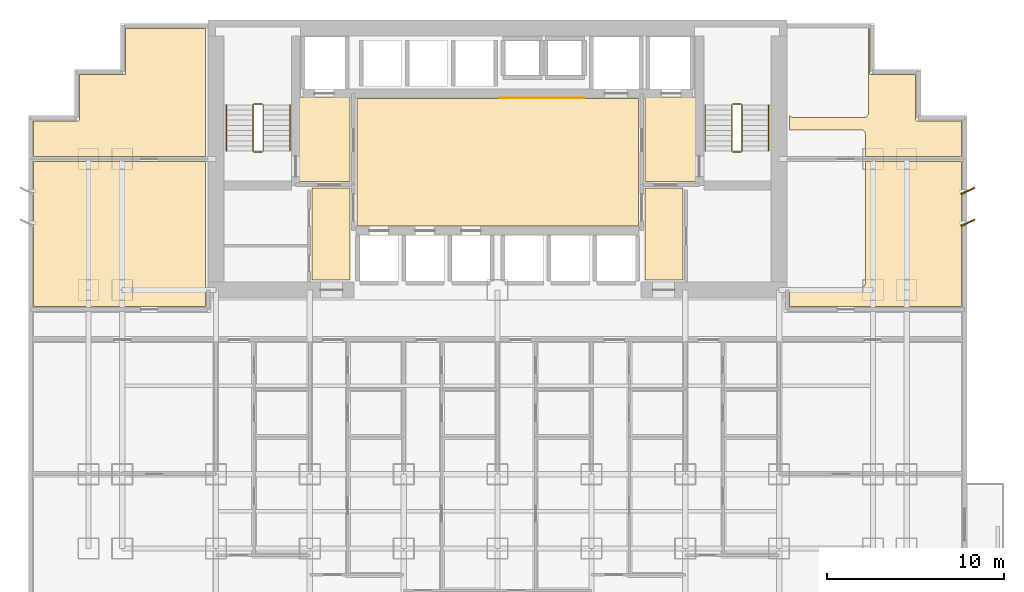
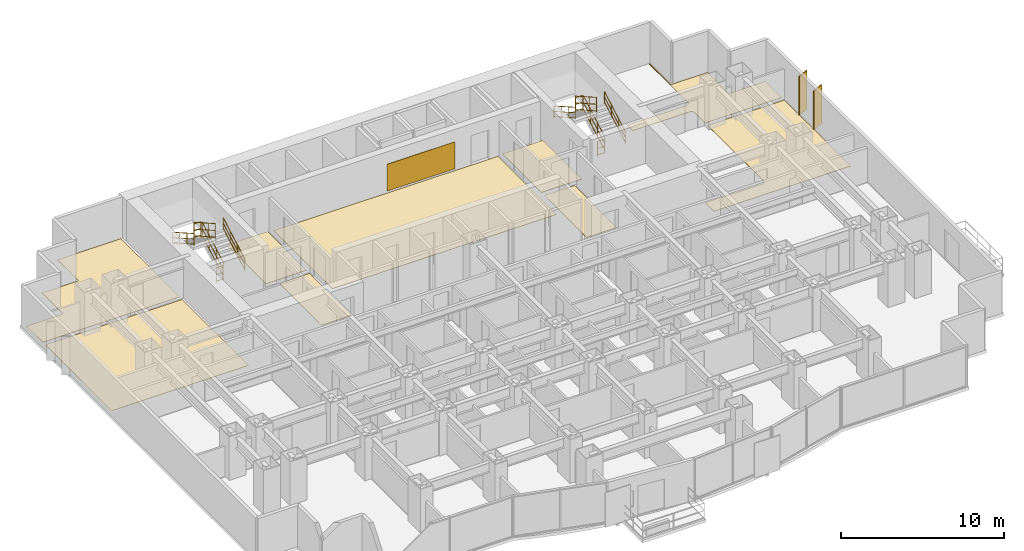
# One storey, part 10 of 10: 12 railings, 10 coverings, 2 shading devices.
"""IFC4 building model written with IfcOpenShell, lengths in metres."""

import ifcopenshell
import ifcopenshell.guid

model = None  # the IFC model being written
_history = None  # IfcOwnerHistory: only IFC2X3 demands one
_inside = {}  # id of a spatial element -> (the spatial element, [elements in it])
_under = {}  # id of a project, library or spatial element -> (it, [spatial elements below it])
_declared = {}  # id of a project -> (the project, [libraries it declares])
_typed = {}  # id of a type object -> (the type object, [elements of that type])
_made_of = {}  # id of a material, layer set ... -> (it, [elements and type objects made of it])


def new_model(schema):
    """Start an empty IFC model of exactly this schema.

    Asked for "IFC4X3", IfcOpenShell would pick the latest addendum, in which some entities
    have other attributes; the version numbers below select the first issue.
    IFC2X3 requires an IfcOwnerHistory on every rooted entity: one is made here for all.
    """
    global model, _history
    if schema == "IFC4X3":
        model = ifcopenshell.file(schema_version=(4, 3, 0, 0))
    else:
        model = ifcopenshell.file(schema=schema)
    _inside.clear()
    _under.clear()
    _declared.clear()
    _typed.clear()
    _made_of.clear()
    _history = None
    if model.schema == "IFC2X3":
        org = make("IfcOrganization", Name="unknown")
        user = make(
            "IfcPersonAndOrganization",
            ThePerson=make("IfcPerson", FamilyName="unknown"),
            TheOrganization=org,
        )
        app = make(
            "IfcApplication",
            ApplicationDeveloper=org,
            Version="unknown",
            ApplicationFullName="unknown",
            ApplicationIdentifier="unknown",
        )
        _history = make(
            "IfcOwnerHistory",
            OwningUser=user,
            OwningApplication=app,
            ChangeAction="ADDED",
            CreationDate=0,
        )
    return model


def make(cls, **values):
    """One entity of the class cls with the attributes given. An attribute that is None is left unset."""
    return model.create_entity(
        cls, **{name: value for name, value in values.items() if value is not None}
    )


def rooted(cls, **values):
    """An entity with a GlobalId (a new one), such as an element, a storey or a relation."""
    return make(cls, GlobalId=ifcopenshell.guid.new(), OwnerHistory=_history, **values)


def si_unit(unit_type, name, prefix=None):
    """IfcSIUnit, for example si_unit("LENGTHUNIT", "METRE", prefix="MILLI")."""
    return make("IfcSIUnit", UnitType=unit_type, Prefix=prefix, Name=name)


def assignment(units):
    """IfcUnitAssignment: the units of a project."""
    return None if units is None else make("IfcUnitAssignment", Units=units)


def point(xyz):
    """IfcCartesianPoint."""
    return None if xyz is None else make("IfcCartesianPoint", Coordinates=xyz)


def direction(xyz):
    """IfcDirection."""
    return None if xyz is None else make("IfcDirection", DirectionRatios=xyz)


def frame(location, z_axis=None, x_axis=None):
    """IfcAxis2Placement3D, a coordinate frame: its origin and axes. An axis left out is left unset."""
    return make(
        "IfcAxis2Placement3D",
        Location=point(location),
        Axis=direction(z_axis),
        RefDirection=direction(x_axis),
    )


def frame_2d(location, x_axis=None):
    """IfcAxis2Placement2D, a coordinate frame in the plane: its origin and x axis."""
    return make(
        "IfcAxis2Placement2D", Location=point(location), RefDirection=direction(x_axis)
    )


def origin():
    """The frame at (0, 0, 0) with its axes left unset."""
    return frame((0.0, 0.0, 0.0))


def origin_2d():
    """The frame at (0, 0) in the plane with its x axis left unset."""
    return frame_2d((0.0, 0.0))


def place(relative_to, where):
    """IfcLocalPlacement: puts the frame where relative to a parent placement (None: the world)."""
    return make(
        "IfcLocalPlacement", PlacementRelTo=relative_to, RelativePlacement=where
    )


def context(
    kind, dimensions, precision=None, world=None, true_north=None, identifier=None
):
    """IfcGeometricRepresentationContext, for example the 3D "Model" context."""
    return make(
        "IfcGeometricRepresentationContext",
        ContextIdentifier=identifier,
        ContextType=kind,
        CoordinateSpaceDimension=dimensions,
        Precision=precision,
        WorldCoordinateSystem=world,
        TrueNorth=true_north,
    )


def subcontext(parent, identifier, kind, view, scale=None):
    """IfcGeometricRepresentationSubContext, for example "Body" below "Model"."""
    return make(
        "IfcGeometricRepresentationSubContext",
        ContextIdentifier=identifier,
        ContextType=kind,
        ParentContext=parent,
        TargetScale=scale,
        TargetView=view,
    )


def project(units=None, contexts=None):
    """IfcProject with its units and contexts."""
    return rooted(
        "IfcProject",
        Name="project",
        RepresentationContexts=contexts,
        UnitsInContext=assignment(units),
    )


def spatial(cls, under=None, at=None, **own):
    """A site, building, storey or space (cls), placed at a placement, below another one or the project."""
    s = rooted(cls, ObjectPlacement=at, **own)
    if under is not None:
        _under.setdefault(under.id(), (under, []))[1].append(s)
    return s


def polyline(points):
    """IfcPolyline through the points."""
    return make("IfcPolyline", Points=[point(p) for p in points])


def profile(cls, at=None, kind="AREA", **sizes):
    """A parametric profile (cls). Its sizes go by their IFC names, for example OverallWidth=200.0."""
    return make(cls, ProfileType=kind, Position=at, **sizes)


def rectangle(**sizes):
    """IfcRectangleProfileDef."""
    return profile("IfcRectangleProfileDef", **sizes)


def circle(**sizes):
    """IfcCircleProfileDef."""
    return profile("IfcCircleProfileDef", **sizes)


def outline(outer, holes=None, kind="AREA"):
    """IfcArbitraryClosedProfileDef: a profile drawn as a closed curve; with holes, ...WithVoids."""
    if holes is None:
        return make("IfcArbitraryClosedProfileDef", ProfileType=kind, OuterCurve=outer)
    return make(
        "IfcArbitraryProfileDefWithVoids",
        ProfileType=kind,
        OuterCurve=outer,
        InnerCurves=holes,
    )


def extrude(swept, where, along, depth):
    """IfcExtrudedAreaSolid: the profile swept, set in the frame where, extruded along a direction by depth."""
    return make(
        "IfcExtrudedAreaSolid",
        SweptArea=swept,
        Position=where,
        ExtrudedDirection=direction(along),
        Depth=depth,
    )


def shape(context_of_items, identifier, shape_type, items):
    """IfcShapeRepresentation: the items that make up one representation, for example the "Body"."""
    return make(
        "IfcShapeRepresentation",
        ContextOfItems=context_of_items,
        RepresentationIdentifier=identifier,
        RepresentationType=shape_type,
        Items=items,
    )


def source(mapping_origin, context_of_items, identifier, shape_type, items):
    """IfcRepresentationMap: a shape defined once, which mapped items show again and again."""
    return make(
        "IfcRepresentationMap",
        MappingOrigin=mapping_origin,
        MappedRepresentation=shape(context_of_items, identifier, shape_type, items),
    )


def transform(
    local_origin,
    x_axis=None,
    y_axis=None,
    z_axis=None,
    scale=None,
    scale2=None,
    scale3=None,
    uniform=True,
):
    """IfcCartesianTransformationOperator3D, or its non-uniform kind. x_axis, y_axis, z_axis: its Axis1, 2, 3."""
    if uniform:
        return make(
            "IfcCartesianTransformationOperator3D",
            Axis1=direction(x_axis),
            Axis2=direction(y_axis),
            LocalOrigin=point(local_origin),
            Scale=scale,
            Axis3=direction(z_axis),
        )
    return make(
        "IfcCartesianTransformationOperator3DnonUniform",
        Axis1=direction(x_axis),
        Axis2=direction(y_axis),
        LocalOrigin=point(local_origin),
        Scale=scale,
        Axis3=direction(z_axis),
        Scale2=scale2,
        Scale3=scale3,
    )


def mapped(mapping_source, mapping_target):
    """IfcMappedItem: shows the shape of a source again, moved by a transform."""
    return make(
        "IfcMappedItem", MappingSource=mapping_source, MappingTarget=mapping_target
    )


def material(Name=None, Category=None):
    """IfcMaterial."""
    return make("IfcMaterial", Name=Name, Category=Category)


def layer(
    of_material, thickness, ventilated=None, Name=None, Category=None, Priority=None
):
    """IfcMaterialLayer: one layer of a wall or slab, of a material (None: an air gap)."""
    return make(
        "IfcMaterialLayer",
        Material=of_material,
        LayerThickness=thickness,
        IsVentilated=ventilated,
        Name=Name,
        Category=Category,
        Priority=Priority,
    )


def layer_set(layers, Name=None):
    """IfcMaterialLayerSet."""
    return make("IfcMaterialLayerSet", MaterialLayers=layers, LayerSetName=Name)


def made_of(thing, what):
    """Note that an element or type object is made of a material, layer set ...; save() writes the relation."""
    if what is not None:
        _made_of.setdefault(what.id(), (what, []))[1].append(thing)
    return thing


def type_object(cls, material=None, **own):
    """A type object (cls), such as IfcWallType, which elements share."""
    return made_of(rooted(cls, **own), material)


def element(
    cls,
    number,
    at=None,
    inside=None,
    cuts=None,
    type_object=None,
    material=None,
    context=None,
    identifier="Body",
    shape_type=None,
    held_by="IfcProductDefinitionShape",
    body=None,
    shapes=None,
    **own,
):
    """One element of the class cls, such as IfcWall. Its Tag is "e" and its number.

    at: its placement. inside: the storey or other place that contains it. cuts: it is an
    opening in that element (IfcRelVoidsElement). A single representation is given by context,
    identifier, shape_type and body (its items); several are given by shapes. held_by: the class
    of the entity that holds the representations. save() writes the other relations.
    """
    e = rooted(cls, Tag="e%d" % number, ObjectPlacement=at, **own)
    if body is not None:
        shapes = [shape(context, identifier, shape_type, body)]
    if shapes is not None:
        e.Representation = make(held_by, Representations=shapes)
    if inside is not None:
        _inside.setdefault(inside.id(), (inside, []))[1].append(e)
    if cuts is not None:
        rooted(
            "IfcRelVoidsElement", RelatingBuildingElement=cuts, RelatedOpeningElement=e
        )
    if type_object is not None:
        _typed.setdefault(type_object.id(), (type_object, []))[1].append(e)
    return made_of(e, material)


def aggregate(whole, parts):
    """IfcRelAggregates: a whole, such as a stair, and the parts it consists of."""
    return rooted("IfcRelAggregates", RelatingObject=whole, RelatedObjects=parts)


def save(model, path):
    """Write the relations noted so far, then the file.

    IfcRelAggregates (storeys below a building ...), IfcRelContainedInSpatialStructure (elements
    in a storey), IfcRelDefinesByType, IfcRelAssociatesMaterial and IfcRelDeclares: one each for
    every whole, place, type object, material and project.
    """
    for whole, parts in _under.values():
        aggregate(whole, parts)
    for where, things in _inside.values():
        rooted(
            "IfcRelContainedInSpatialStructure",
            RelatedElements=things,
            RelatingStructure=where,
        )
    for kind, things in _typed.values():
        rooted("IfcRelDefinesByType", RelatedObjects=things, RelatingType=kind)
    for what, things in _made_of.values():
        rooted("IfcRelAssociatesMaterial", RelatedObjects=things, RelatingMaterial=what)
    for by, libraries in _declared.values():
        rooted("IfcRelDeclares", RelatingContext=by, RelatedDefinitions=libraries)
    model.write(path)


model = new_model("IFC4")

# Units and contexts
model_context = context("Model", 3, precision=1e-05, world=origin(), true_north=direction((0.0, 1.0)))
body_context = subcontext(model_context, "Body", "Model", "MODEL_VIEW")
ifc_project = project(units=[si_unit("LENGTHUNIT", "METRE"), si_unit("AREAUNIT", "SQUARE_METRE"), si_unit("VOLUMEUNIT", "CUBIC_METRE"), si_unit("PLANEANGLEUNIT", "RADIAN"), si_unit("MASSUNIT", "GRAM", prefix="KILO")], contexts=[model_context])

# Site, building, storey
site_placement = place(None, origin())
site = spatial("IfcSite", under=ifc_project, at=site_placement, CompositionType="ELEMENT")
building_placement = place(site_placement, origin())
building = spatial("IfcBuilding", under=site, at=building_placement, Name="Qianlan Lanfeng Residences", CompositionType="ELEMENT")
storey_placement = place(building_placement, frame((0.0, 0.0, 30.800048828125)))
storey = spatial("IfcBuildingStorey", under=building, at=storey_placement, Name="L07", CompositionType="ELEMENT", Elevation=30.800048828125)

# Coverings
ifc_material_1 = material(Name="Anodised Bronze Feature Wall Cladding")
ifc_layer_1 = layer(ifc_material_1, 0.02490234375)
ifc_layer_set_1 = layer_set([ifc_layer_1], Name="Anodised Bronze Feature Wall Cladding")
covering_type_1 = type_object("IfcCoveringType", Name="CLD-BRZ-25", PredefinedType="CLADDING", material=ifc_layer_set_1)
covering_1_placement = place(storey_placement, frame((0.0, 0.0, 0.14990234375)))
element("IfcCovering", 1, at=covering_1_placement, inside=storey, type_object=covering_type_1, Name="L07 Lift Lobby Bronze Feature Cladding", PredefinedType="CLADDING", context=body_context, shape_type="SweptSolid", body=[
    extrude(outline(polyline([(26.60009765625, 36.02490234375), (31.39990234375, 36.02490234375), (31.39990234375, 36.050048828125), (26.60009765625, 36.050048828125), (26.60009765625, 36.02490234375)])), origin(), (0.0, 0.0, 1.0), 2.02001953125),
])
ifc_material_2 = material(Name="Honed Taitung Granite Stone Flooring", Category="masonry")
ifc_layer_2 = layer(ifc_material_2, 0.030029296875)
ifc_layer_set_2 = layer_set([ifc_layer_2], Name="Honed Taitung Granite Stone Flooring")
covering_type_2 = type_object("IfcCoveringType", Name="FLR-STN-30", PredefinedType="FLOORING", material=ifc_layer_set_2)
covering_2_placement = place(storey_placement, origin())
element("IfcCovering", 2, at=covering_2_placement, inside=storey, type_object=covering_type_2, Name="L07 Firefighting Lift Lobby Floor Finish", PredefinedType="FLOORING", context=body_context, shape_type="SweptSolid", body=[
    extrude(outline(polyline([(15.2900390625, 31.320068359375), (18.179931640625, 31.320068359375), (18.179931640625, 36.110107421875), (15.2900390625, 36.110107421875), (15.2900390625, 31.320068359375)])), origin(), (0.0, 0.0, 1.0), 0.030029296875),
])
covering_3_placement = place(storey_placement, origin())
element("IfcCovering", 3, at=covering_3_placement, inside=storey, type_object=covering_type_2, Name="L07 Firefighting Lift Lobby Floor Finish", PredefinedType="FLOORING", context=body_context, shape_type="SweptSolid", body=[
    extrude(outline(polyline([(34.820068359375, 31.320068359375), (37.7099609375, 31.320068359375), (37.7099609375, 36.110107421875), (34.820068359375, 36.110107421875), (34.820068359375, 31.320068359375)])), origin(), (0.0, 0.0, 1.0), 0.030029296875),
])
covering_4_placement = place(storey_placement, origin())
element("IfcCovering", 4, at=covering_4_placement, inside=storey, type_object=covering_type_2, Name="L07 Lift Lobby Floor Finish", PredefinedType="FLOORING", context=body_context, shape_type="SweptSolid", body=[
    extrude(outline(polyline([(18.550048828125, 28.820068359375), (34.449951171875, 28.820068359375), (34.449951171875, 36.010009765625), (18.550048828125, 36.010009765625), (18.550048828125, 28.820068359375)])), origin(), (0.0, 0.0, 1.0), 0.030029296875),
])
covering_5_placement = place(storey_placement, origin())
element("IfcCovering", 5, at=covering_5_placement, inside=storey, type_object=covering_type_2, Name="L07 Lift Lobby Floor Finish", PredefinedType="FLOORING", context=body_context, shape_type="SweptSolid", body=[
    extrude(outline(polyline([(16.030029296875, 25.760009765625), (18.169921875, 25.760009765625), (18.169921875, 30.949951171875), (16.030029296875, 30.949951171875), (16.030029296875, 25.760009765625)])), origin(), (0.0, 0.0, 1.0), 0.030029296875),
])
covering_6_placement = place(storey_placement, origin())
element("IfcCovering", 6, at=covering_6_placement, inside=storey, type_object=covering_type_2, Name="L07 Lift Lobby Floor Finish", PredefinedType="FLOORING", context=body_context, shape_type="SweptSolid", body=[
    extrude(outline(polyline([(34.830078125, 25.760009765625), (36.969970703125, 25.760009765625), (36.969970703125, 30.949951171875), (34.830078125, 30.949951171875), (34.830078125, 25.760009765625)])), origin(), (0.0, 0.0, 1.0), 0.030029296875),
])
ifc_material_3 = material(Name="Engineered Smoked Oak Timber Flooring", Category="wood")
ifc_layer_3 = layer(ifc_material_3, 0.02197265625)
ifc_layer_set_3 = layer_set([ifc_layer_3], Name="Engineered Smoked Oak Timber Flooring")
covering_type_3 = type_object("IfcCoveringType", Name="FLR-TIM-22", PredefinedType="FLOORING", material=ifc_layer_set_3)
covering_7_placement = place(storey_placement, origin())
element("IfcCovering", 7, at=covering_7_placement, inside=storey, type_object=covering_type_3, Name="L07 Co-Working Business Suite Floor Finish", PredefinedType="FLOORING", context=body_context, shape_type="SweptSolid", body=[
    extrude(outline(polyline([(10.0, 32.449951171875), (0.2900390625, 32.449951171875), (0.2900390625, 24.280029296875), (10.0, 24.280029296875), (10.0, 32.449951171875)])), origin(), (0.0, 0.0, 1.0), 0.02197265625),
])
covering_8_placement = place(storey_placement, origin())
element("IfcCovering", 8, at=covering_8_placement, inside=storey, type_object=covering_type_3, Name="L07 Resident Lounge Floor Finish", PredefinedType="FLOORING", context=body_context, shape_type="SweptSolid", body=[
    extrude(outline(polyline([(0.2900390625, 32.75), (10.0, 32.75), (10.0, 39.9599609375), (5.489990234375, 39.9599609375), (5.489990234375, 37.429931640625), (5.489990234375, 37.423095703125), (5.489013671875, 37.416015625), (5.487060546875, 37.409912109375), (5.485107421875, 37.403076171875), (5.48193359375, 37.39697265625), (5.47802734375, 37.39111328125), (5.47412109375, 37.385986328125), (5.468994140625, 37.381103515625), (5.464111328125, 37.3759765625), (5.458984375, 37.3720703125), (5.452880859375, 37.367919921875), (5.447021484375, 37.364990234375), (5.43994140625, 37.363037109375), (5.43408203125, 37.361083984375), (5.427001953125, 37.360107421875), (5.419921875, 37.360107421875), (2.889892578125, 37.360107421875), (2.889892578125, 34.830078125), (2.889892578125, 34.822998046875), (2.888916015625, 34.81591796875), (2.886962890625, 34.81005859375), (2.885009765625, 34.802978515625), (2.882080078125, 34.797119140625), (2.8779296875, 34.791015625), (2.8740234375, 34.785888671875), (2.868896484375, 34.781005859375), (2.864013671875, 34.77587890625), (2.85888671875, 34.77197265625), (2.85302734375, 34.76806640625), (2.846923828125, 34.764892578125), (2.840087890625, 34.762939453125), (2.833984375, 34.760986328125), (2.826904296875, 34.760009765625), (2.820068359375, 34.760009765625), (0.2900390625, 34.760009765625), (0.2900390625, 32.75)])), origin(), (0.0, 0.0, 1.0), 0.02197265625),
])
covering_9_placement = place(storey_placement, origin())
element("IfcCovering", 9, at=covering_9_placement, inside=storey, type_object=covering_type_3, Name="L07 Co-Working Business Suite Floor Finish", PredefinedType="FLOORING", context=body_context, shape_type="SweptSolid", body=[
    extrude(outline(polyline([(52.7099609375, 32.449951171875), (47.27001953125, 32.449951171875), (47.27001953125, 25.60009765625), (47.26904296875, 25.574951171875), (47.264892578125, 25.551025390625), (47.259033203125, 25.527099609375), (47.2509765625, 25.50390625), (47.239990234375, 25.48193359375), (47.22802734375, 25.4609375), (47.212890625, 25.44091796875), (47.197021484375, 25.423095703125), (47.178955078125, 25.406982421875), (47.158935546875, 25.39208984375), (47.137939453125, 25.3798828125), (47.115966796875, 25.368896484375), (47.093017578125, 25.361083984375), (47.069091796875, 25.35498046875), (47.044921875, 25.35107421875), (47.02001953125, 25.35009765625), (43.080078125, 25.35009765625), (43.054931640625, 25.35107421875), (43.031005859375, 25.35498046875), (43.007080078125, 25.361083984375), (43.0, 25.363037109375), (43.0, 24.280029296875), (52.7099609375, 24.280029296875), (52.7099609375, 32.449951171875)])), origin(), (0.0, 0.0, 1.0), 0.02197265625),
])
covering_10_placement = place(storey_placement, origin())
element("IfcCovering", 10, at=covering_10_placement, inside=storey, type_object=covering_type_3, Name="L07 Resident Lounge Floor Finish", PredefinedType="FLOORING", context=body_context, shape_type="SweptSolid", body=[
    extrude(outline(polyline([(43.0, 34.237060546875), (43.007080078125, 34.239013671875), (43.031005859375, 34.2451171875), (43.054931640625, 34.2490234375), (43.080078125, 34.25), (47.02001953125, 34.25), (47.044921875, 34.2490234375), (47.069091796875, 34.2451171875), (47.093017578125, 34.239013671875), (47.115966796875, 34.23095703125), (47.137939453125, 34.219970703125), (47.158935546875, 34.2080078125), (47.178955078125, 34.193115234375), (47.197021484375, 34.177001953125), (47.212890625, 34.158935546875), (47.22802734375, 34.138916015625), (47.239990234375, 34.117919921875), (47.2509765625, 34.095947265625), (47.259033203125, 34.072998046875), (47.264892578125, 34.049072265625), (47.26904296875, 34.02490234375), (47.27001953125, 34.0), (47.27001953125, 32.75), (52.7099609375, 32.75), (52.7099609375, 34.760009765625), (50.179931640625, 34.760009765625), (50.173095703125, 34.760009765625), (50.166015625, 34.760986328125), (50.159912109375, 34.762939453125), (50.153076171875, 34.764892578125), (50.14697265625, 34.76806640625), (50.14111328125, 34.77197265625), (50.135986328125, 34.77587890625), (50.131103515625, 34.781005859375), (50.1259765625, 34.785888671875), (50.1220703125, 34.791015625), (50.117919921875, 34.797119140625), (50.114990234375, 34.802978515625), (50.113037109375, 34.81005859375), (50.111083984375, 34.81591796875), (50.110107421875, 34.822998046875), (50.110107421875, 34.830078125), (50.110107421875, 37.360107421875), (47.580078125, 37.360107421875), (47.572998046875, 37.360107421875), (47.56591796875, 37.361083984375), (47.56005859375, 37.363037109375), (47.552978515625, 37.364990234375), (47.547119140625, 37.367919921875), (47.541015625, 37.3720703125), (47.535888671875, 37.3759765625), (47.531005859375, 37.381103515625), (47.52587890625, 37.385986328125), (47.52197265625, 37.39111328125), (47.51806640625, 37.39697265625), (47.514892578125, 37.403076171875), (47.512939453125, 37.409912109375), (47.510986328125, 37.416015625), (47.510009765625, 37.423095703125), (47.510009765625, 37.429931640625), (47.510009765625, 39.9599609375), (47.449951171875, 39.9599609375), (47.449951171875, 35.199951171875), (47.448974609375, 35.175048828125), (47.445068359375, 35.15087890625), (47.43896484375, 35.126953125), (47.430908203125, 35.10400390625), (47.419921875, 35.08203125), (47.407958984375, 35.06103515625), (47.39306640625, 35.041015625), (47.376953125, 35.02294921875), (47.35888671875, 35.007080078125), (47.339111328125, 34.991943359375), (47.318115234375, 34.97998046875), (47.2958984375, 34.968994140625), (47.27294921875, 34.9609375), (47.2490234375, 34.955078125), (47.22509765625, 34.950927734375), (47.199951171875, 34.949951171875), (43.199951171875, 34.949951171875), (43.175048828125, 34.950927734375), (43.15087890625, 34.955078125), (43.126953125, 34.9609375), (43.10400390625, 34.968994140625), (43.08203125, 34.97998046875), (43.06103515625, 34.991943359375), (43.041015625, 35.007080078125), (43.02294921875, 35.02294921875), (43.007080078125, 35.041015625), (43.0, 35.050048828125), (43.0, 34.237060546875)])), origin(), (0.0, 0.0, 1.0), 0.02197265625),
])

# Railings
ifc_material_4 = material(Name="Painted Galvanised Steel Guardrail", Category="steel")
railing_type_1 = type_object("IfcRailingType", Name="GR-ST-1120", PredefinedType="GUARDRAIL", material=ifc_material_4)
railing_1_placement = place(storey_placement, frame((13.27001953125, 33.050048828125, 0.1650390625)))
element("IfcRailing", 11, at=railing_1_placement, inside=storey, type_object=railing_type_1, Name="L07 ST-1 stair guard 1", PredefinedType="GUARDRAIL", context=body_context, shape_type="SweptSolid", body=[
    extrude(circle(Radius=0.02392578125, at=origin_2d()), frame((0.0, 0.0, 0.083984375), z_axis=(0.0, 0.869172267526, 0.494509422927), x_axis=(-1.0, 0.0, 0.0)), (0.0, 0.0, 1.0), 3.002685546875),
    extrude(circle(Radius=0.02392578125, at=origin_2d()), frame((0.0, 0.0, 0.58251953125), z_axis=(0.0, 0.869172267526, 0.494509422927), x_axis=(-1.0, 0.0, 0.0)), (0.0, 0.0, 1.0), 3.002685546875),
    extrude(circle(Radius=0.02392578125, at=origin_2d()), frame((0.0, 0.0, 1.09619140625), z_axis=(0.0, 0.869172267526, 0.494509422927), x_axis=(-1.0, 0.0, 0.0)), (0.0, 0.0, 1.0), 3.002685546875),
    extrude(circle(Radius=0.02099609375, at=origin_2d()), origin(), (0.0, 0.0, 1.0), 1.072021484375),
    extrude(circle(Radius=0.02099609375, at=origin_2d()), frame((0.0, 0.869873046875, 0.494873046875)), (0.0, 0.0, 1.0), 1.072021484375),
    extrude(circle(Radius=0.02099609375, at=origin_2d()), frame((0.0, 1.739990234375, 0.989990234375)), (0.0, 0.0, 1.0), 1.072021484375),
    extrude(circle(Radius=0.02099609375, at=origin_2d()), frame((0.0, 2.60986328125, 1.48486328125)), (0.0, 0.0, 1.0), 1.072021484375),
])
railing_2_placement = place(storey_placement, frame((13.219970703125, 35.7099609375, 1.64990234375)))
element("IfcRailing", 12, at=railing_2_placement, inside=storey, type_object=railing_type_1, Name="L07 ST-1 stair guard 2", PredefinedType="GUARDRAIL", context=body_context, shape_type="SweptSolid", body=[
    extrude(circle(Radius=0.02392578125, at=origin_2d()), frame((0.0, 0.0, 0.083984375), z_axis=(-1.0, 0.0, 0.0), x_axis=(0.0, -1.0, 0.0)), (0.0, 0.0, 1.0), 0.47998046875),
    extrude(circle(Radius=0.02392578125, at=origin_2d()), frame((0.0, 0.0, 0.58251953125), z_axis=(-1.0, 0.0, 0.0), x_axis=(0.0, -1.0, 0.0)), (0.0, 0.0, 1.0), 0.47998046875),
    extrude(circle(Radius=0.02392578125, at=origin_2d()), frame((0.0, 0.0, 1.09619140625), z_axis=(-1.0, 0.0, 0.0), x_axis=(0.0, -1.0, 0.0)), (0.0, 0.0, 1.0), 0.47998046875),
    extrude(circle(Radius=0.02099609375, at=origin_2d()), origin(), (0.0, 0.0, 1.0), 1.072021484375),
    extrude(circle(Radius=0.02099609375, at=origin_2d()), frame((-0.47998046875, 0.0, 0.0)), (0.0, 0.0, 1.0), 1.072021484375),
])
railing_3_placement = place(storey_placement, frame((12.68994140625, 35.659912109375, 1.81494140625)))
element("IfcRailing", 13, at=railing_3_placement, inside=storey, type_object=railing_type_1, Name="L07 ST-1 stair guard 3", PredefinedType="GUARDRAIL", context=body_context, shape_type="SweptSolid", body=[
    extrude(circle(Radius=0.02392578125, at=origin_2d()), frame((0.0, 0.0, 0.083984375), z_axis=(0.0, -0.869137319866, 0.494570843475), x_axis=(1.0, 0.0, 0.0)), (0.0, 0.0, 1.0), 3.0029296875),
    extrude(circle(Radius=0.02392578125, at=origin_2d()), frame((0.0, 0.0, 0.58251953125), z_axis=(0.0, -0.869137319866, 0.494570843475), x_axis=(1.0, 0.0, 0.0)), (0.0, 0.0, 1.0), 3.0029296875),
    extrude(circle(Radius=0.02392578125, at=origin_2d()), frame((0.0, 0.0, 1.09619140625), z_axis=(0.0, -0.869137319866, 0.494570843475), x_axis=(1.0, 0.0, 0.0)), (0.0, 0.0, 1.0), 3.0029296875),
    extrude(circle(Radius=0.02099609375, at=origin_2d()), origin(), (0.0, 0.0, 1.0), 1.072021484375),
    extrude(circle(Radius=0.02099609375, at=origin_2d()), frame((0.0, -0.869873046875, 0.4951171875)), (0.0, 0.0, 1.0), 1.072021484375),
    extrude(circle(Radius=0.02099609375, at=origin_2d()), frame((0.0, -1.739990234375, 0.989990234375)), (0.0, 0.0, 1.0), 1.072021484375),
    extrude(circle(Radius=0.02099609375, at=origin_2d()), frame((0.0, -2.60986328125, 1.485107421875)), (0.0, 0.0, 1.0), 1.072021484375),
])
railing_4_placement = place(storey_placement, frame((13.219970703125, 33.0, 0.0)))
element("IfcRailing", 14, at=railing_4_placement, inside=storey, type_object=railing_type_1, Name="L07 ST-1 stair guard 4", PredefinedType="GUARDRAIL", context=body_context, shape_type="SweptSolid", body=[
    extrude(circle(Radius=0.02392578125, at=origin_2d()), frame((0.0, 0.0, 0.083984375), z_axis=(-1.0, 0.0, 0.0), x_axis=(0.0, -1.0, 0.0)), (0.0, 0.0, 1.0), 0.47998046875),
    extrude(circle(Radius=0.02392578125, at=origin_2d()), frame((0.0, 0.0, 0.58251953125), z_axis=(-1.0, 0.0, 0.0), x_axis=(0.0, -1.0, 0.0)), (0.0, 0.0, 1.0), 0.47998046875),
    extrude(circle(Radius=0.02392578125, at=origin_2d()), frame((0.0, 0.0, 1.09619140625), z_axis=(-1.0, 0.0, 0.0), x_axis=(0.0, -1.0, 0.0)), (0.0, 0.0, 1.0), 0.47998046875),
    extrude(circle(Radius=0.02099609375, at=origin_2d()), origin(), (0.0, 0.0, 1.0), 1.072021484375),
    extrude(circle(Radius=0.02099609375, at=origin_2d()), frame((-0.47998046875, 0.0, 0.0)), (0.0, 0.0, 1.0), 1.072021484375),
])
railing_5_placement = place(storey_placement, frame((40.31005859375, 33.050048828125, 0.1650390625)))
element("IfcRailing", 15, at=railing_5_placement, inside=storey, type_object=railing_type_1, Name="L07 ST-2 stair guard 1", PredefinedType="GUARDRAIL", context=body_context, shape_type="SweptSolid", body=[
    extrude(circle(Radius=0.02392578125, at=origin_2d()), frame((0.0, 0.0, 0.083984375), z_axis=(0.0, 0.869172267526, 0.494509422927), x_axis=(-1.0, 0.0, 0.0)), (0.0, 0.0, 1.0), 3.002685546875),
    extrude(circle(Radius=0.02392578125, at=origin_2d()), frame((0.0, 0.0, 0.58251953125), z_axis=(0.0, 0.869172267526, 0.494509422927), x_axis=(-1.0, 0.0, 0.0)), (0.0, 0.0, 1.0), 3.002685546875),
    extrude(circle(Radius=0.02392578125, at=origin_2d()), frame((0.0, 0.0, 1.09619140625), z_axis=(0.0, 0.869172267526, 0.494509422927), x_axis=(-1.0, 0.0, 0.0)), (0.0, 0.0, 1.0), 3.002685546875),
    extrude(circle(Radius=0.02099609375, at=origin_2d()), origin(), (0.0, 0.0, 1.0), 1.072021484375),
    extrude(circle(Radius=0.02099609375, at=origin_2d()), frame((0.0, 0.869873046875, 0.494873046875)), (0.0, 0.0, 1.0), 1.072021484375),
    extrude(circle(Radius=0.02099609375, at=origin_2d()), frame((0.0, 1.739990234375, 0.989990234375)), (0.0, 0.0, 1.0), 1.072021484375),
    extrude(circle(Radius=0.02099609375, at=origin_2d()), frame((0.0, 2.60986328125, 1.48486328125)), (0.0, 0.0, 1.0), 1.072021484375),
])
railing_6_placement = place(storey_placement, frame((40.260009765625, 35.7099609375, 1.64990234375)))
element("IfcRailing", 16, at=railing_6_placement, inside=storey, type_object=railing_type_1, Name="L07 ST-2 stair guard 2", PredefinedType="GUARDRAIL", context=body_context, shape_type="SweptSolid", body=[
    extrude(circle(Radius=0.02392578125, at=origin_2d()), frame((0.0, 0.0, 0.083984375), z_axis=(-1.0, 0.0, 0.0), x_axis=(0.0, -1.0, 0.0)), (0.0, 0.0, 1.0), 0.47998046875),
    extrude(circle(Radius=0.02392578125, at=origin_2d()), frame((0.0, 0.0, 0.58251953125), z_axis=(-1.0, 0.0, 0.0), x_axis=(0.0, -1.0, 0.0)), (0.0, 0.0, 1.0), 0.47998046875),
    extrude(circle(Radius=0.02392578125, at=origin_2d()), frame((0.0, 0.0, 1.09619140625), z_axis=(-1.0, 0.0, 0.0), x_axis=(0.0, -1.0, 0.0)), (0.0, 0.0, 1.0), 0.47998046875),
    extrude(circle(Radius=0.02099609375, at=origin_2d()), origin(), (0.0, 0.0, 1.0), 1.072021484375),
    extrude(circle(Radius=0.02099609375, at=origin_2d()), frame((-0.47998046875, 0.0, 0.0)), (0.0, 0.0, 1.0), 1.072021484375),
])
railing_7_placement = place(storey_placement, frame((39.72998046875, 35.659912109375, 1.81494140625)))
element("IfcRailing", 17, at=railing_7_placement, inside=storey, type_object=railing_type_1, Name="L07 ST-2 stair guard 3", PredefinedType="GUARDRAIL", context=body_context, shape_type="SweptSolid", body=[
    extrude(circle(Radius=0.02392578125, at=origin_2d()), frame((0.0, 0.0, 0.083984375), z_axis=(0.0, -0.869137319866, 0.494570843475), x_axis=(1.0, 0.0, 0.0)), (0.0, 0.0, 1.0), 3.0029296875),
    extrude(circle(Radius=0.02392578125, at=origin_2d()), frame((0.0, 0.0, 0.58251953125), z_axis=(0.0, -0.869137319866, 0.494570843475), x_axis=(1.0, 0.0, 0.0)), (0.0, 0.0, 1.0), 3.0029296875),
    extrude(circle(Radius=0.02392578125, at=origin_2d()), frame((0.0, 0.0, 1.09619140625), z_axis=(0.0, -0.869137319866, 0.494570843475), x_axis=(1.0, 0.0, 0.0)), (0.0, 0.0, 1.0), 3.0029296875),
    extrude(circle(Radius=0.02099609375, at=origin_2d()), origin(), (0.0, 0.0, 1.0), 1.072021484375),
    extrude(circle(Radius=0.02099609375, at=origin_2d()), frame((0.0, -0.869873046875, 0.4951171875)), (0.0, 0.0, 1.0), 1.072021484375),
    extrude(circle(Radius=0.02099609375, at=origin_2d()), frame((0.0, -1.739990234375, 0.989990234375)), (0.0, 0.0, 1.0), 1.072021484375),
    extrude(circle(Radius=0.02099609375, at=origin_2d()), frame((0.0, -2.60986328125, 1.485107421875)), (0.0, 0.0, 1.0), 1.072021484375),
])
railing_8_placement = place(storey_placement, frame((40.260009765625, 33.0, 0.0)))
element("IfcRailing", 18, at=railing_8_placement, inside=storey, type_object=railing_type_1, Name="L07 ST-2 stair guard 4", PredefinedType="GUARDRAIL", context=body_context, shape_type="SweptSolid", body=[
    extrude(circle(Radius=0.02392578125, at=origin_2d()), frame((0.0, 0.0, 0.083984375), z_axis=(-1.0, 0.0, 0.0), x_axis=(0.0, -1.0, 0.0)), (0.0, 0.0, 1.0), 0.47998046875),
    extrude(circle(Radius=0.02392578125, at=origin_2d()), frame((0.0, 0.0, 0.58251953125), z_axis=(-1.0, 0.0, 0.0), x_axis=(0.0, -1.0, 0.0)), (0.0, 0.0, 1.0), 0.47998046875),
    extrude(circle(Radius=0.02392578125, at=origin_2d()), frame((0.0, 0.0, 1.09619140625), z_axis=(-1.0, 0.0, 0.0), x_axis=(0.0, -1.0, 0.0)), (0.0, 0.0, 1.0), 0.47998046875),
    extrude(circle(Radius=0.02099609375, at=origin_2d()), origin(), (0.0, 0.0, 1.0), 1.072021484375),
    extrude(circle(Radius=0.02099609375, at=origin_2d()), frame((-0.47998046875, 0.0, 0.0)), (0.0, 0.0, 1.0), 1.072021484375),
])
ifc_material_5 = material(Name="Brushed Stainless Steel Handrail", Category="steel")
railing_type_2 = type_object("IfcRailingType", Name="HR-ST-920", PredefinedType="HANDRAIL", material=ifc_material_5)
railing_9_placement = place(storey_placement, frame((14.77001953125, 33.050048828125, 0.1650390625)))
element("IfcRailing", 19, at=railing_9_placement, inside=storey, type_object=railing_type_2, Name="L07 ST-1 stair handrail 1", PredefinedType="HANDRAIL", context=body_context, shape_type="SweptSolid", body=[
    extrude(circle(Radius=0.02392578125, at=origin_2d()), frame((0.0, 0.0, 0.083984375), z_axis=(0.0, 0.869172267526, 0.494509422927), x_axis=(-1.0, 0.0, 0.0)), (0.0, 0.0, 1.0), 3.002685546875),
    extrude(circle(Radius=0.02392578125, at=origin_2d()), frame((0.0, 0.0, 0.468017578125), z_axis=(0.0, 0.869172267526, 0.494509422927), x_axis=(-1.0, 0.0, 0.0)), (0.0, 0.0, 1.0), 3.002685546875),
    extrude(circle(Radius=0.02392578125, at=origin_2d()), frame((0.0, 0.0, 0.8759765625), z_axis=(0.0, 0.869172267526, 0.494509422927), x_axis=(-1.0, 0.0, 0.0)), (0.0, 0.0, 1.0), 3.002685546875),
    extrude(circle(Radius=0.02099609375, at=origin_2d()), origin(), (0.0, 0.0, 1.0), 0.851806640625),
    extrude(circle(Radius=0.02099609375, at=origin_2d()), frame((0.0, 0.869873046875, 0.494873046875)), (0.0, 0.0, 1.0), 0.851806640625),
    extrude(circle(Radius=0.02099609375, at=origin_2d()), frame((0.0, 1.739990234375, 0.989990234375)), (0.0, 0.0, 1.0), 0.851806640625),
    extrude(circle(Radius=0.02099609375, at=origin_2d()), frame((0.0, 2.60986328125, 1.48486328125)), (0.0, 0.0, 1.0), 0.851806640625),
])
railing_10_placement = place(storey_placement, frame((11.18994140625, 35.659912109375, 1.81494140625)))
element("IfcRailing", 20, at=railing_10_placement, inside=storey, type_object=railing_type_2, Name="L07 ST-1 stair handrail 2", PredefinedType="HANDRAIL", context=body_context, shape_type="SweptSolid", body=[
    extrude(circle(Radius=0.02392578125, at=origin_2d()), frame((0.0, 0.0, 0.083984375), z_axis=(0.0, -0.869137319866, 0.494570843475), x_axis=(1.0, 0.0, 0.0)), (0.0, 0.0, 1.0), 3.0029296875),
    extrude(circle(Radius=0.02392578125, at=origin_2d()), frame((0.0, 0.0, 0.468017578125), z_axis=(0.0, -0.869137319866, 0.494570843475), x_axis=(1.0, 0.0, 0.0)), (0.0, 0.0, 1.0), 3.0029296875),
    extrude(circle(Radius=0.02392578125, at=origin_2d()), frame((0.0, 0.0, 0.8759765625), z_axis=(0.0, -0.869137319866, 0.494570843475), x_axis=(1.0, 0.0, 0.0)), (0.0, 0.0, 1.0), 3.0029296875),
    extrude(circle(Radius=0.02099609375, at=origin_2d()), origin(), (0.0, 0.0, 1.0), 0.851806640625),
    extrude(circle(Radius=0.02099609375, at=origin_2d()), frame((0.0, -0.869873046875, 0.4951171875)), (0.0, 0.0, 1.0), 0.851806640625),
    extrude(circle(Radius=0.02099609375, at=origin_2d()), frame((0.0, -1.739990234375, 0.989990234375)), (0.0, 0.0, 1.0), 0.851806640625),
    extrude(circle(Radius=0.02099609375, at=origin_2d()), frame((0.0, -2.60986328125, 1.485107421875)), (0.0, 0.0, 1.0), 0.851806640625),
])
railing_11_placement = place(storey_placement, frame((41.81005859375, 33.050048828125, 0.1650390625)))
element("IfcRailing", 21, at=railing_11_placement, inside=storey, type_object=railing_type_2, Name="L07 ST-2 stair handrail 1", PredefinedType="HANDRAIL", context=body_context, shape_type="SweptSolid", body=[
    extrude(circle(Radius=0.02392578125, at=origin_2d()), frame((0.0, 0.0, 0.083984375), z_axis=(0.0, 0.869172267526, 0.494509422927), x_axis=(-1.0, 0.0, 0.0)), (0.0, 0.0, 1.0), 3.002685546875),
    extrude(circle(Radius=0.02392578125, at=origin_2d()), frame((0.0, 0.0, 0.468017578125), z_axis=(0.0, 0.869172267526, 0.494509422927), x_axis=(-1.0, 0.0, 0.0)), (0.0, 0.0, 1.0), 3.002685546875),
    extrude(circle(Radius=0.02392578125, at=origin_2d()), frame((0.0, 0.0, 0.8759765625), z_axis=(0.0, 0.869172267526, 0.494509422927), x_axis=(-1.0, 0.0, 0.0)), (0.0, 0.0, 1.0), 3.002685546875),
    extrude(circle(Radius=0.02099609375, at=origin_2d()), origin(), (0.0, 0.0, 1.0), 0.851806640625),
    extrude(circle(Radius=0.02099609375, at=origin_2d()), frame((0.0, 0.869873046875, 0.494873046875)), (0.0, 0.0, 1.0), 0.851806640625),
    extrude(circle(Radius=0.02099609375, at=origin_2d()), frame((0.0, 1.739990234375, 0.989990234375)), (0.0, 0.0, 1.0), 0.851806640625),
    extrude(circle(Radius=0.02099609375, at=origin_2d()), frame((0.0, 2.60986328125, 1.48486328125)), (0.0, 0.0, 1.0), 0.851806640625),
])
railing_12_placement = place(storey_placement, frame((38.22998046875, 35.659912109375, 1.81494140625)))
element("IfcRailing", 22, at=railing_12_placement, inside=storey, type_object=railing_type_2, Name="L07 ST-2 stair handrail 2", PredefinedType="HANDRAIL", context=body_context, shape_type="SweptSolid", body=[
    extrude(circle(Radius=0.02392578125, at=origin_2d()), frame((0.0, 0.0, 0.083984375), z_axis=(0.0, -0.869137319866, 0.494570843475), x_axis=(1.0, 0.0, 0.0)), (0.0, 0.0, 1.0), 3.0029296875),
    extrude(circle(Radius=0.02392578125, at=origin_2d()), frame((0.0, 0.0, 0.468017578125), z_axis=(0.0, -0.869137319866, 0.494570843475), x_axis=(1.0, 0.0, 0.0)), (0.0, 0.0, 1.0), 3.0029296875),
    extrude(circle(Radius=0.02392578125, at=origin_2d()), frame((0.0, 0.0, 0.8759765625), z_axis=(0.0, -0.869137319866, 0.494570843475), x_axis=(1.0, 0.0, 0.0)), (0.0, 0.0, 1.0), 3.0029296875),
    extrude(circle(Radius=0.02099609375, at=origin_2d()), origin(), (0.0, 0.0, 1.0), 0.851806640625),
    extrude(circle(Radius=0.02099609375, at=origin_2d()), frame((0.0, -0.869873046875, 0.4951171875)), (0.0, 0.0, 1.0), 0.851806640625),
    extrude(circle(Radius=0.02099609375, at=origin_2d()), frame((0.0, -1.739990234375, 0.989990234375)), (0.0, 0.0, 1.0), 0.851806640625),
    extrude(circle(Radius=0.02099609375, at=origin_2d()), frame((0.0, -2.60986328125, 1.485107421875)), (0.0, 0.0, 1.0), 0.851806640625),
])

# Shading devices
ifc_material_6 = material(Name="Anodised Bronze Aluminium Solar Fin", Category="aluminium")
shading_device_type = type_object("IfcShadingDeviceType", Name="FIN-BRZ-850", PredefinedType="SHUTTER", material=ifc_material_6)
shared_shape = source(origin(), body_context, "Body", "SweptSolid", [
    extrude(rectangle(XDim=0.85009765625, YDim=0.080078125, at=origin_2d()), origin(), (0.0, 0.0, 1.0), 2.89990234375),
])
for number, where, z_axis, x_axis, name in (
    (23, (53.070068359375, 29.0, 0.0), (0.0, 0.0, 1.0), (0.898794046299, 0.438371146789, 0.0), "L07 Raked Bronze Solar Fin E1"),
    (24, (53.070068359375, 30.800048828125, 0.0), (0.0, 0.0, 1.0), (0.898794046299, 0.438371146789, 0.0), "L07 Raked Bronze Solar Fin E2"),
):
    element("IfcShadingDevice", number, at=place(storey_placement, frame(where, z_axis=z_axis, x_axis=x_axis)), inside=storey, type_object=shading_device_type, Name=name, PredefinedType="SHUTTER", context=body_context, shape_type="MappedRepresentation", body=[
        mapped(shared_shape, transform((0.0, 0.0, 0.0), scale=1.0)),
    ])

save(model, "model.ifc")
